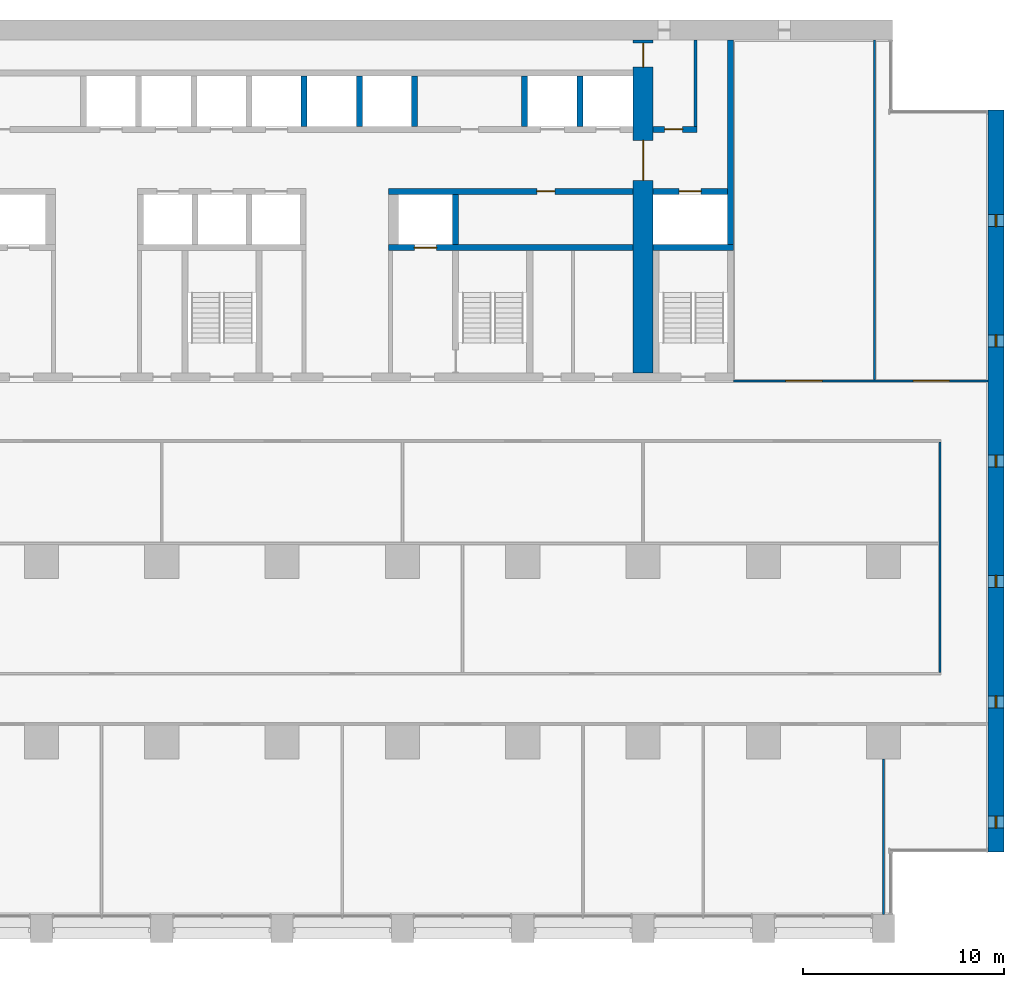
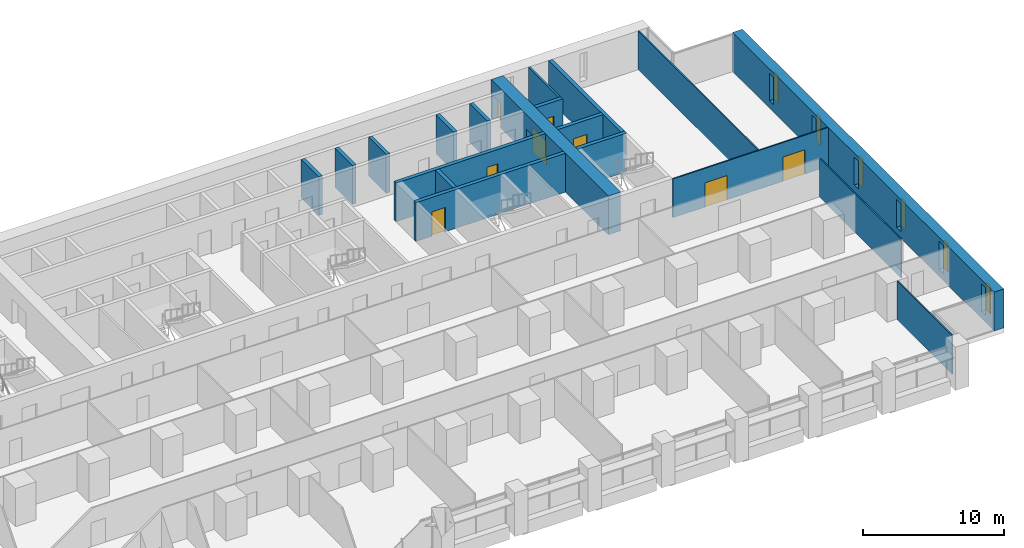
# One storey, part 13 of 18: 19 walls, 8 doors, 6 windows, 14 openings.
"""IFC4 building model written with IfcOpenShell, lengths in metres."""

from ifc_helpers import new_model, si_unit, direction, frame, frame_2d, origin, place, context, subcontext, project, spatial, rectangle, extrude, material, layer, layer_set, type_object, element, fill, save


model = new_model("IFC4")

# Units and contexts
model_context = context("Model", 3, precision=1e-05, world=origin(), true_north=direction((0.0, 1.0)))
body_context = subcontext(model_context, "Body", "Model", "MODEL_VIEW")
ifc_project = project(units=[si_unit("LENGTHUNIT", "METRE"), si_unit("AREAUNIT", "SQUARE_METRE"), si_unit("VOLUMEUNIT", "CUBIC_METRE"), si_unit("PLANEANGLEUNIT", "RADIAN"), si_unit("MASSUNIT", "GRAM", prefix="KILO")], contexts=[model_context])

# Site, building, storey
site_placement = place(None, origin())
site = spatial("IfcSite", under=ifc_project, at=site_placement, CompositionType="ELEMENT")
building_placement = place(site_placement, origin())
building = spatial("IfcBuilding", under=site, at=building_placement, Name="Calvaro Tower", CompositionType="ELEMENT")
storey_placement = place(building_placement, frame((0.0, 0.0, 48.75)))
storey = spatial("IfcBuildingStorey", under=building, at=storey_placement, Name="L11", CompositionType="ELEMENT", Elevation=48.75)

# Wall
ifc_material_1 = material(Name="Blockwork partition", Category="masonry")
ifc_layer_1 = layer(ifc_material_1, 0.14990234375)
ifc_layer_set_1 = layer_set([ifc_layer_1], Name="Blockwork partition")
wall_type_1 = type_object("IfcWallType", Name="Core partition 150 REI 120", PredefinedType="PARTITIONING", material=ifc_layer_set_1)
wall_1_placement = place(storey_placement, frame((62.625, 40.699951171875, 0.0), z_axis=(0.0, 0.0, 1.0), x_axis=(0.0, 1.0, 0.0)))
element("IfcWall", 1, at=wall_1_placement, inside=storey, type_object=wall_type_1, Name="Core partition", PredefinedType="PARTITIONING", context=body_context, shape_type="SweptSolid", body=[
    extrude(rectangle(XDim=4.300048828125, YDim=0.14990234375, at=frame_2d((2.14990234375, 0.0))), origin(), (0.0, 0.0, 1.0), 3.35009765625),
])

# Wall, opening, door
ifc_material_2 = material(Name="Blockwork partition", Category="masonry")
ifc_layer_2 = layer(ifc_material_2, 0.300048828125)
ifc_layer_set_2 = layer_set([ifc_layer_2], Name="Blockwork partition")
wall_type_2 = type_object("IfcWallType", Name="Core partition 300 REI 120", PredefinedType="PARTITIONING", material=ifc_layer_set_2)
wall_2_placement = place(storey_placement, frame((60.5, 40.550048828125, 0.0), z_axis=(0.0, 0.0, 1.0), x_axis=(1.0, 0.0, 0.0)))
wall_2 = element("IfcWall", 2, at=wall_2_placement, inside=storey, type_object=wall_type_2, Name="Core partition", PredefinedType="PARTITIONING", context=body_context, shape_type="SweptSolid", body=[
    extrude(rectangle(XDim=2.199951171875, YDim=0.300048828125, at=frame_2d((1.10009765625, 0.0))), origin(), (0.0, 0.0, 1.0), 3.35009765625),
])
opening_1_placement = place(wall_2_placement, frame((0.574951171875, 0.0, 0.0)))
opening_1 = element("IfcOpeningElement", 3, at=opening_1_placement, cuts=wall_2, Name="Opening RD9E", PredefinedType="OPENING", context=body_context, shape_type="SweptSolid", body=[
    extrude(rectangle(XDim=0.89990234375, YDim=2.10009765625, at=frame_2d((0.449951171875, 1.050048828125))), frame((0.0, 0.159912109375, 0.0), z_axis=(0.0, -1.0, 0.0), x_axis=(1.0, 0.0, 0.0)), (0.0, 0.0, 1.0), 0.320068359375),
])
ifc_material_3 = material(Name="Steel door set", Category="steel")
door_type_1 = type_object("IfcDoorType", Name="Room door 900 FD60", OperationType="SINGLE_SWING_LEFT", PredefinedType="DOOR", material=ifc_material_3)
door_1_placement = place(opening_1_placement, origin())
door_1 = element("IfcDoor", 4, at=door_1_placement, inside=storey, type_object=door_type_1, Name="Room door", OperationType="SINGLE_SWING_LEFT", OverallHeight=2.10009765625, OverallWidth=0.89990234375, PredefinedType="DOOR", context=body_context, shape_type="SweptSolid", body=[
    extrude(rectangle(XDim=0.89990234375, YDim=2.10009765625, at=frame_2d((0.449951171875, 1.050048828125))), frame((0.0, 0.02490234375, 0.0), z_axis=(0.0, -1.0, 0.0), x_axis=(1.0, 0.0, 0.0)), (0.0, 0.0, 1.0), 0.050048828125),
])
fill(opening_1, door_1)

# Wall, openings, doors
ifc_material_4 = material(Name="Concrete C80/95", Category="concrete")
ifc_layer_3 = layer(ifc_material_4, 1.0)
ifc_layer_set_3 = layer_set([ifc_layer_3], Name="Concrete C80/95")
wall_type_3 = type_object("IfcWallType", Name="Core wall C80/95 1000", PredefinedType="SHEAR", material=ifc_layer_set_3)
wall_3_placement = place(storey_placement, frame((60.0, 28.39990234375, 0.0), z_axis=(0.0, 0.0, 1.0), x_axis=(0.0, 1.0, 0.0)))
wall_3 = element("IfcWall", 5, at=wall_3_placement, inside=storey, type_object=wall_type_3, Name="Core wall, cross shear wall", PredefinedType="SHEAR", context=body_context, shape_type="SweptSolid", body=[
    extrude(rectangle(XDim=16.60009765625, YDim=1.0, at=frame_2d((8.300048828125, 0.0))), origin(), (0.0, 0.0, 1.0), 3.35009765625),
])
opening_2_placement = place(wall_3_placement, frame((9.60009765625, 0.0, 0.0)))
opening_2 = element("IfcOpeningElement", 6, at=opening_2_placement, cuts=wall_3, Name="Opening DD20D", PredefinedType="OPENING", context=body_context, shape_type="SweptSolid", body=[
    extrude(rectangle(XDim=2.0, YDim=2.10009765625, at=frame_2d((1.0, 1.050048828125))), frame((0.0, 0.510009765625, 0.0), z_axis=(0.0, -1.0, 0.0), x_axis=(1.0, 0.0, 0.0)), (0.0, 0.0, 1.0), 1.02001953125),
])
opening_3_placement = place(wall_3_placement, frame((15.25, 0.0, 0.0)))
opening_3 = element("IfcOpeningElement", 7, at=opening_3_placement, cuts=wall_3, Name="Opening FD12C", PredefinedType="OPENING", context=body_context, shape_type="SweptSolid", body=[
    extrude(rectangle(XDim=1.199951171875, YDim=2.10009765625, at=frame_2d((0.60009765625, 1.050048828125))), frame((0.0, 0.510009765625, 0.0), z_axis=(0.0, -1.0, 0.0), x_axis=(1.0, 0.0, 0.0)), (0.0, 0.0, 1.0), 1.02001953125),
])
ifc_material_5 = material(Name="Steel door set", Category="steel")
door_type_2 = type_object("IfcDoorType", Name="Fire door 1200 FD30", OperationType="SINGLE_SWING_LEFT", PredefinedType="DOOR", material=ifc_material_5)
door_2_placement = place(opening_3_placement, origin())
door_2 = element("IfcDoor", 8, at=door_2_placement, inside=storey, type_object=door_type_2, Name="Fire door", OperationType="SINGLE_SWING_LEFT", OverallHeight=2.10009765625, OverallWidth=1.199951171875, PredefinedType="DOOR", context=body_context, shape_type="SweptSolid", body=[
    extrude(rectangle(XDim=1.199951171875, YDim=2.10009765625, at=frame_2d((0.60009765625, 1.050048828125))), frame((0.0, 0.02490234375, 0.0), z_axis=(0.0, -1.0, 0.0), x_axis=(1.0, 0.0, 0.0)), (0.0, 0.0, 1.0), 0.050048828125),
])
fill(opening_3, door_2)
ifc_material_6 = material(Name="Steel door set", Category="steel")
door_type_3 = type_object("IfcDoorType", Name="Lobby double door 2000 FD30S", OperationType="DOUBLE_DOOR_SINGLE_SWING", PredefinedType="DOOR", material=ifc_material_6)
door_3_placement = place(opening_2_placement, origin())
door_3 = element("IfcDoor", 9, at=door_3_placement, inside=storey, type_object=door_type_3, Name="Lobby double door", OperationType="DOUBLE_DOOR_SINGLE_SWING", OverallHeight=2.10009765625, OverallWidth=2.0, PredefinedType="DOOR", context=body_context, shape_type="SweptSolid", body=[
    extrude(rectangle(XDim=2.0, YDim=2.10009765625, at=frame_2d((1.0, 1.050048828125))), frame((0.0, 0.02490234375, 0.0), z_axis=(0.0, -1.0, 0.0), x_axis=(1.0, 0.0, 0.0)), (0.0, 0.0, 1.0), 0.050048828125),
])
fill(opening_2, door_3)

# Wall
ifc_material_7 = material(Name="Concrete C80/95", Category="concrete")
ifc_layer_4 = layer(ifc_material_7, 0.300048828125)
ifc_layer_set_4 = layer_set([ifc_layer_4], Name="Concrete C80/95")
wall_type_4 = type_object("IfcWallType", Name="Core wall C80/95 300", PredefinedType="SHEAR", material=ifc_layer_set_4)
wall_4_placement = place(storey_placement, frame((64.35009765625, 34.800048828125, 0.0), z_axis=(0.0, 0.0, 1.0), x_axis=(0.0, 1.0, 0.0)))
element("IfcWall", 10, at=wall_4_placement, inside=storey, type_object=wall_type_4, Name="Core wall, boundary", PredefinedType="SHEAR", context=body_context, shape_type="SweptSolid", body=[
    extrude(rectangle(XDim=10.199951171875, YDim=0.300048828125, at=frame_2d((5.10009765625, 0.0))), origin(), (0.0, 0.0, 1.0), 3.35009765625),
])

# Wall, opening, door
wall_5_placement = place(storey_placement, frame((47.300048828125, 34.64990234375, 0.0), z_axis=(0.0, 0.0, 1.0), x_axis=(1.0, 0.0, 0.0)))
wall_5 = element("IfcWall", 11, at=wall_5_placement, inside=storey, type_object=wall_type_4, Name="Core wall, lift shaft", PredefinedType="SHEAR", context=body_context, shape_type="SweptSolid", body=[
    extrude(rectangle(XDim=12.199951171875, YDim=0.300048828125, at=frame_2d((6.10009765625, 0.0))), origin(), (0.0, 0.0, 1.0), 3.35009765625),
])
opening_4_placement = place(wall_5_placement, frame((1.300048828125, 0.0, 0.0)))
opening_4 = element("IfcOpeningElement", 12, at=opening_4_placement, cuts=wall_5, Name="Opening FF2", PredefinedType="OPENING", context=body_context, shape_type="SweptSolid", body=[
    extrude(rectangle(XDim=1.10009765625, YDim=2.10009765625, at=frame_2d((0.550048828125, 1.050048828125))), frame((0.0, 0.159912109375, 0.0), z_axis=(0.0, -1.0, 0.0), x_axis=(1.0, 0.0, 0.0)), (0.0, 0.0, 1.0), 0.320068359375),
])
ifc_material_8 = material(Name="Stainless steel", Category="steel")
door_type_4 = type_object("IfcDoorType", Name="Landing door 1100 E 60", OperationType="SLIDING_TO_LEFT", PredefinedType="DOOR", material=ifc_material_8)
door_4_placement = place(opening_4_placement, origin())
door_4 = element("IfcDoor", 13, at=door_4_placement, inside=storey, type_object=door_type_4, Name="Landing door FF2", OperationType="SLIDING_TO_LEFT", OverallHeight=2.10009765625, OverallWidth=1.10009765625, PredefinedType="DOOR", context=body_context, shape_type="SweptSolid", body=[
    extrude(rectangle(XDim=1.10009765625, YDim=2.10009765625, at=frame_2d((0.550048828125, 1.050048828125))), frame((0.0, 0.02490234375, 0.0), z_axis=(0.0, -1.0, 0.0), x_axis=(1.0, 0.0, 0.0)), (0.0, 0.0, 1.0), 0.050048828125),
])
fill(opening_4, door_4)

# Wall
wall_6_placement = place(storey_placement, frame((60.5, 34.64990234375, 0.0), z_axis=(0.0, 0.0, 1.0), x_axis=(1.0, 0.0, 0.0)))
element("IfcWall", 14, at=wall_6_placement, inside=storey, type_object=wall_type_4, Name="Core wall, lift shaft", PredefinedType="SHEAR", context=body_context, shape_type="SweptSolid", body=[
    extrude(rectangle(XDim=4.0, YDim=0.300048828125, at=frame_2d((2.0, 0.0))), origin(), (0.0, 0.0, 1.0), 3.35009765625),
])

# Wall, opening, door
wall_7_placement = place(storey_placement, frame((59.5, 37.449951171875, 0.0), z_axis=(0.0, 0.0, 1.0), x_axis=(-1.0, 0.0, 0.0)))
wall_7 = element("IfcWall", 15, at=wall_7_placement, inside=storey, type_object=wall_type_4, Name="Core wall, bay", PredefinedType="SHEAR", context=body_context, shape_type="SweptSolid", body=[
    extrude(rectangle(XDim=12.199951171875, YDim=0.300048828125, at=frame_2d((6.10009765625, 0.0))), origin(), (0.0, 0.0, 1.0), 3.35009765625),
])
opening_5_placement = place(wall_7_placement, frame((3.89990234375, 0.0, 0.0)))
opening_5 = element("IfcOpeningElement", 16, at=opening_5_placement, cuts=wall_7, Name="Opening RD9C", PredefinedType="OPENING", context=body_context, shape_type="SweptSolid", body=[
    extrude(rectangle(XDim=0.89990234375, YDim=2.10009765625, at=frame_2d((0.449951171875, 1.050048828125))), frame((0.0, 0.159912109375, 0.0), z_axis=(0.0, -1.0, 0.0), x_axis=(1.0, 0.0, 0.0)), (0.0, 0.0, 1.0), 0.320068359375),
])
ifc_material_9 = material(Name="Steel door set", Category="steel")
door_type_5 = type_object("IfcDoorType", Name="Room door 900 FD30", OperationType="SINGLE_SWING_LEFT", PredefinedType="DOOR", material=ifc_material_9)
door_5_placement = place(opening_5_placement, origin())
door_5 = element("IfcDoor", 17, at=door_5_placement, inside=storey, type_object=door_type_5, Name="Room door", OperationType="SINGLE_SWING_RIGHT", OverallHeight=2.10009765625, OverallWidth=0.89990234375, PredefinedType="DOOR", context=body_context, shape_type="SweptSolid", body=[
    extrude(rectangle(XDim=0.89990234375, YDim=2.10009765625, at=frame_2d((0.449951171875, 1.050048828125))), frame((0.0, 0.02490234375, 0.0), z_axis=(0.0, -1.0, 0.0), x_axis=(1.0, 0.0, 0.0)), (0.0, 0.0, 1.0), 0.050048828125),
])
fill(opening_5, door_5)

wall_8_placement = place(storey_placement, frame((60.5, 37.449951171875, 0.0), z_axis=(0.0, 0.0, 1.0), x_axis=(1.0, 0.0, 0.0)))
wall_8 = element("IfcWall", 18, at=wall_8_placement, inside=storey, type_object=wall_type_4, Name="Core wall, lift shaft", PredefinedType="SHEAR", context=body_context, shape_type="SweptSolid", body=[
    extrude(rectangle(XDim=3.699951171875, YDim=0.300048828125, at=frame_2d((1.85009765625, 0.0))), origin(), (0.0, 0.0, 1.0), 3.35009765625),
])
opening_6_placement = place(wall_8_placement, frame((1.300048828125, 0.0, 0.0)))
opening_6 = element("IfcOpeningElement", 19, at=opening_6_placement, cuts=wall_8, Name="Opening FF3", PredefinedType="OPENING", context=body_context, shape_type="SweptSolid", body=[
    extrude(rectangle(XDim=1.10009765625, YDim=2.10009765625, at=frame_2d((0.550048828125, 1.050048828125))), frame((0.0, 0.159912109375, 0.0), z_axis=(0.0, -1.0, 0.0), x_axis=(1.0, 0.0, 0.0)), (0.0, 0.0, 1.0), 0.320068359375),
])
door_6_placement = place(opening_6_placement, origin())
door_6 = element("IfcDoor", 20, at=door_6_placement, inside=storey, type_object=door_type_4, Name="Landing door FF3", OperationType="SLIDING_TO_LEFT", OverallHeight=2.10009765625, OverallWidth=1.10009765625, PredefinedType="DOOR", context=body_context, shape_type="SweptSolid", body=[
    extrude(rectangle(XDim=1.10009765625, YDim=2.10009765625, at=frame_2d((0.550048828125, 1.050048828125))), frame((0.0, 0.02490234375, 0.0), z_axis=(0.0, -1.0, 0.0), x_axis=(1.0, 0.0, 0.0)), (0.0, 0.0, 1.0), 0.050048828125),
])
fill(opening_6, door_6)

# Walls
for number, where, z_axis, x_axis, name in (
    (21, (50.64990234375, 34.800048828125, 0.0), (0.0, 0.0, 1.0), (0.0, 1.0, 0.0), "Core wall, lift shaft"),
    (22, (43.10009765625, 40.699951171875, 0.0), (0.0, 0.0, 1.0), (0.0, 1.0, 0.0), "Core wall, lift shaft"),
    (23, (45.85009765625, 40.699951171875, 0.0), (0.0, 0.0, 1.0), (0.0, 1.0, 0.0), "Core wall, lift shaft"),
    (24, (48.60009765625, 40.699951171875, 0.0), (0.0, 0.0, 1.0), (0.0, 1.0, 0.0), "Core wall, lift shaft"),
    (25, (54.10009765625, 40.699951171875, 0.0), (0.0, 0.0, 1.0), (0.0, 1.0, 0.0), "Core wall, lift shaft"),
    (26, (56.85009765625, 40.699951171875, 0.0), (0.0, 0.0, 1.0), (0.0, 1.0, 0.0), "Core wall, lift shaft"),
):
    element("IfcWall", number, at=place(storey_placement, frame(where, z_axis=z_axis, x_axis=x_axis)), inside=storey, type_object=wall_type_4, Name=name, PredefinedType="SHEAR", context=body_context, shape_type="SweptSolid", body=[
        extrude(rectangle(XDim=2.5, YDim=0.300048828125, at=frame_2d((1.25, 0.0))), origin(), (0.0, 0.0, 1.0), 3.35009765625),
    ])

# Wall, openings, windows
ifc_material_10 = material(Name="Concrete C80/95", Category="concrete")
ifc_layer_5 = layer(ifc_material_10, 0.800048828125)
ifc_layer_set_5 = layer_set([ifc_layer_5], Name="Concrete C80/95")
wall_type_5 = type_object("IfcWallType", Name="End wall 800 C80/95", PredefinedType="SHEAR", material=ifc_layer_set_5)
wall_9_placement = place(storey_placement, frame((77.60009765625, 4.5, 0.0), z_axis=(0.0, 0.0, 1.0), x_axis=(0.0, 1.0, 0.0)))
wall_9 = element("IfcWall", 27, at=wall_9_placement, inside=storey, type_object=wall_type_5, Name="End shear wall", PredefinedType="SHEAR", context=body_context, shape_type="SweptSolid", body=[
    extrude(rectangle(XDim=37.0, YDim=0.800048828125, at=frame_2d((18.5, 0.0))), origin(), (0.0, 0.0, 1.0), 3.35009765625),
])
opening_7_placement = place(wall_9_placement, frame((1.199951171875, 0.0, 0.60009765625)))
opening_7 = element("IfcOpeningElement", 28, at=opening_7_placement, cuts=wall_9, Name="Opening WE01", PredefinedType="OPENING", context=body_context, shape_type="SweptSolid", body=[
    extrude(rectangle(XDim=0.60009765625, YDim=2.39990234375, at=frame_2d((0.300048828125, 1.199951171875))), frame((0.0, 0.409912109375, 0.0), z_axis=(0.0, -1.0, 0.0), x_axis=(1.0, 0.0, 0.0)), (0.0, 0.0, 1.0), 0.820068359375),
])
opening_8_placement = place(wall_9_placement, frame((7.199951171875, 0.0, 0.60009765625)))
opening_8 = element("IfcOpeningElement", 29, at=opening_8_placement, cuts=wall_9, Name="Opening WE02", PredefinedType="OPENING", context=body_context, shape_type="SweptSolid", body=[
    extrude(rectangle(XDim=0.60009765625, YDim=2.39990234375, at=frame_2d((0.300048828125, 1.199951171875))), frame((0.0, 0.409912109375, 0.0), z_axis=(0.0, -1.0, 0.0), x_axis=(1.0, 0.0, 0.0)), (0.0, 0.0, 1.0), 0.820068359375),
])
opening_9_placement = place(wall_9_placement, frame((13.199951171875, 0.0, 0.60009765625)))
opening_9 = element("IfcOpeningElement", 30, at=opening_9_placement, cuts=wall_9, Name="Opening WE03", PredefinedType="OPENING", context=body_context, shape_type="SweptSolid", body=[
    extrude(rectangle(XDim=0.60009765625, YDim=2.39990234375, at=frame_2d((0.300048828125, 1.199951171875))), frame((0.0, 0.409912109375, 0.0), z_axis=(0.0, -1.0, 0.0), x_axis=(1.0, 0.0, 0.0)), (0.0, 0.0, 1.0), 0.820068359375),
])
opening_10_placement = place(wall_9_placement, frame((19.199951171875, 0.0, 0.60009765625)))
opening_10 = element("IfcOpeningElement", 31, at=opening_10_placement, cuts=wall_9, Name="Opening WE04", PredefinedType="OPENING", context=body_context, shape_type="SweptSolid", body=[
    extrude(rectangle(XDim=0.60009765625, YDim=2.39990234375, at=frame_2d((0.300048828125, 1.199951171875))), frame((0.0, 0.409912109375, 0.0), z_axis=(0.0, -1.0, 0.0), x_axis=(1.0, 0.0, 0.0)), (0.0, 0.0, 1.0), 0.820068359375),
])
opening_11_placement = place(wall_9_placement, frame((25.199951171875, 0.0, 0.60009765625)))
opening_11 = element("IfcOpeningElement", 32, at=opening_11_placement, cuts=wall_9, Name="Opening WE05", PredefinedType="OPENING", context=body_context, shape_type="SweptSolid", body=[
    extrude(rectangle(XDim=0.60009765625, YDim=2.39990234375, at=frame_2d((0.300048828125, 1.199951171875))), frame((0.0, 0.409912109375, 0.0), z_axis=(0.0, -1.0, 0.0), x_axis=(1.0, 0.0, 0.0)), (0.0, 0.0, 1.0), 0.820068359375),
])
opening_12_placement = place(wall_9_placement, frame((31.199951171875, 0.0, 0.60009765625)))
opening_12 = element("IfcOpeningElement", 33, at=opening_12_placement, cuts=wall_9, Name="Opening WE06", PredefinedType="OPENING", context=body_context, shape_type="SweptSolid", body=[
    extrude(rectangle(XDim=0.60009765625, YDim=2.39990234375, at=frame_2d((0.300048828125, 1.199951171875))), frame((0.0, 0.409912109375, 0.0), z_axis=(0.0, -1.0, 0.0), x_axis=(1.0, 0.0, 0.0)), (0.0, 0.0, 1.0), 0.820068359375),
])
ifc_material_11 = material(Name="Glass", Category="glass")
window_type = type_object("IfcWindowType", Name="Slit window 600 x 2400", PartitioningType="SINGLE_PANEL", PredefinedType="WINDOW", material=ifc_material_11)
window_1_placement = place(opening_7_placement, origin())
window_1 = element("IfcWindow", 34, at=window_1_placement, inside=storey, type_object=window_type, Name="Window WE01", OverallHeight=2.39990234375, OverallWidth=0.60009765625, PartitioningType="SINGLE_PANEL", PredefinedType="WINDOW", context=body_context, shape_type="SweptSolid", body=[
    extrude(rectangle(XDim=0.60009765625, YDim=2.39990234375, at=frame_2d((0.300048828125, 1.199951171875))), frame((0.0, 0.030029296875, 0.0), z_axis=(0.0, -1.0, 0.0), x_axis=(1.0, 0.0, 0.0)), (0.0, 0.0, 1.0), 0.06005859375),
])
fill(opening_7, window_1)
window_2_placement = place(opening_8_placement, origin())
window_2 = element("IfcWindow", 35, at=window_2_placement, inside=storey, type_object=window_type, Name="Window WE02", OverallHeight=2.39990234375, OverallWidth=0.60009765625, PartitioningType="SINGLE_PANEL", PredefinedType="WINDOW", context=body_context, shape_type="SweptSolid", body=[
    extrude(rectangle(XDim=0.60009765625, YDim=2.39990234375, at=frame_2d((0.300048828125, 1.199951171875))), frame((0.0, 0.030029296875, 0.0), z_axis=(0.0, -1.0, 0.0), x_axis=(1.0, 0.0, 0.0)), (0.0, 0.0, 1.0), 0.06005859375),
])
fill(opening_8, window_2)
window_3_placement = place(opening_9_placement, origin())
window_3 = element("IfcWindow", 36, at=window_3_placement, inside=storey, type_object=window_type, Name="Window WE03", OverallHeight=2.39990234375, OverallWidth=0.60009765625, PartitioningType="SINGLE_PANEL", PredefinedType="WINDOW", context=body_context, shape_type="SweptSolid", body=[
    extrude(rectangle(XDim=0.60009765625, YDim=2.39990234375, at=frame_2d((0.300048828125, 1.199951171875))), frame((0.0, 0.030029296875, 0.0), z_axis=(0.0, -1.0, 0.0), x_axis=(1.0, 0.0, 0.0)), (0.0, 0.0, 1.0), 0.06005859375),
])
fill(opening_9, window_3)
window_4_placement = place(opening_10_placement, origin())
window_4 = element("IfcWindow", 37, at=window_4_placement, inside=storey, type_object=window_type, Name="Window WE04", OverallHeight=2.39990234375, OverallWidth=0.60009765625, PartitioningType="SINGLE_PANEL", PredefinedType="WINDOW", context=body_context, shape_type="SweptSolid", body=[
    extrude(rectangle(XDim=0.60009765625, YDim=2.39990234375, at=frame_2d((0.300048828125, 1.199951171875))), frame((0.0, 0.030029296875, 0.0), z_axis=(0.0, -1.0, 0.0), x_axis=(1.0, 0.0, 0.0)), (0.0, 0.0, 1.0), 0.06005859375),
])
fill(opening_10, window_4)
window_5_placement = place(opening_11_placement, origin())
window_5 = element("IfcWindow", 38, at=window_5_placement, inside=storey, type_object=window_type, Name="Window WE05", OverallHeight=2.39990234375, OverallWidth=0.60009765625, PartitioningType="SINGLE_PANEL", PredefinedType="WINDOW", context=body_context, shape_type="SweptSolid", body=[
    extrude(rectangle(XDim=0.60009765625, YDim=2.39990234375, at=frame_2d((0.300048828125, 1.199951171875))), frame((0.0, 0.030029296875, 0.0), z_axis=(0.0, -1.0, 0.0), x_axis=(1.0, 0.0, 0.0)), (0.0, 0.0, 1.0), 0.06005859375),
])
fill(opening_11, window_5)
window_6_placement = place(opening_12_placement, origin())
window_6 = element("IfcWindow", 39, at=window_6_placement, inside=storey, type_object=window_type, Name="Window WE06", OverallHeight=2.39990234375, OverallWidth=0.60009765625, PartitioningType="SINGLE_PANEL", PredefinedType="WINDOW", context=body_context, shape_type="SweptSolid", body=[
    extrude(rectangle(XDim=0.60009765625, YDim=2.39990234375, at=frame_2d((0.300048828125, 1.199951171875))), frame((0.0, 0.030029296875, 0.0), z_axis=(0.0, -1.0, 0.0), x_axis=(1.0, 0.0, 0.0)), (0.0, 0.0, 1.0), 0.06005859375),
])
fill(opening_12, window_6)

# Wall, openings, doors
ifc_material_12 = material(Name="Plasterboard on steel studs", Category="steel")
ifc_layer_6 = layer(ifc_material_12, 0.10009765625)
ifc_layer_set_6 = layer_set([ifc_layer_6], Name="Plasterboard on steel studs")
wall_type_6 = type_object("IfcWallType", Name="Partition 100", PredefinedType="PARTITIONING", material=ifc_layer_set_6)
wall_10_placement = place(storey_placement, frame((64.5, 28.0, 0.0), z_axis=(0.0, 0.0, 1.0), x_axis=(1.0, 0.0, 0.0)))
wall_10 = element("IfcWall", 40, at=wall_10_placement, inside=storey, type_object=wall_type_6, Name="Partition T10.W006", PredefinedType="PARTITIONING", context=body_context, shape_type="SweptSolid", body=[
    extrude(rectangle(XDim=12.699951171875, YDim=0.10009765625, at=frame_2d((6.35009765625, 0.0))), origin(), (0.0, 0.0, 1.0), 3.35009765625),
])
opening_13_placement = place(wall_10_placement, frame((8.97509765625, 0.0, 0.0)))
opening_13 = element("IfcOpeningElement", 41, at=opening_13_placement, cuts=wall_10, Name="Opening T10.021", PredefinedType="OPENING", context=body_context, shape_type="SweptSolid", body=[
    extrude(rectangle(XDim=1.800048828125, YDim=2.10009765625, at=frame_2d((0.89990234375, 1.050048828125))), frame((0.0, 0.06005859375, 0.0), z_axis=(0.0, -1.0, 0.0), x_axis=(1.0, 0.0, 0.0)), (0.0, 0.0, 1.0), 0.1201171875),
])
opening_14_placement = place(wall_10_placement, frame((2.625, 0.0, 0.0)))
opening_14 = element("IfcOpeningElement", 42, at=opening_14_placement, cuts=wall_10, Name="Opening T10.023", PredefinedType="OPENING", context=body_context, shape_type="SweptSolid", body=[
    extrude(rectangle(XDim=1.800048828125, YDim=2.10009765625, at=frame_2d((0.89990234375, 1.050048828125))), frame((0.0, 0.06005859375, 0.0), z_axis=(0.0, -1.0, 0.0), x_axis=(1.0, 0.0, 0.0)), (0.0, 0.0, 1.0), 0.1201171875),
])
ifc_material_13 = material(Name="Timber", Category="wood")
door_type_6 = type_object("IfcDoorType", Name="Internal double door 1800 x 2100", OperationType="DOUBLE_DOOR_SINGLE_SWING", PredefinedType="DOOR", material=ifc_material_13)
door_7_placement = place(opening_13_placement, origin())
door_7 = element("IfcDoor", 43, at=door_7_placement, inside=storey, type_object=door_type_6, Name="Door T10.021", OperationType="DOUBLE_DOOR_SINGLE_SWING", OverallHeight=2.10009765625, OverallWidth=1.800048828125, PredefinedType="DOOR", context=body_context, shape_type="SweptSolid", body=[
    extrude(rectangle(XDim=1.800048828125, YDim=2.10009765625, at=frame_2d((0.89990234375, 1.050048828125))), frame((0.0, 0.02490234375, 0.0), z_axis=(0.0, -1.0, 0.0), x_axis=(1.0, 0.0, 0.0)), (0.0, 0.0, 1.0), 0.050048828125),
])
fill(opening_13, door_7)
door_8_placement = place(opening_14_placement, origin())
door_8 = element("IfcDoor", 44, at=door_8_placement, inside=storey, type_object=door_type_6, Name="Door T10.023", OperationType="DOUBLE_DOOR_SINGLE_SWING", OverallHeight=2.10009765625, OverallWidth=1.800048828125, PredefinedType="DOOR", context=body_context, shape_type="SweptSolid", body=[
    extrude(rectangle(XDim=1.800048828125, YDim=2.10009765625, at=frame_2d((0.89990234375, 1.050048828125))), frame((0.0, 0.02490234375, 0.0), z_axis=(0.0, -1.0, 0.0), x_axis=(1.0, 0.0, 0.0)), (0.0, 0.0, 1.0), 0.050048828125),
])
fill(opening_14, door_8)

# Walls
wall_11_placement = place(storey_placement, frame((71.550048828125, 28.050048828125, 0.0), z_axis=(0.0, 0.0, 1.0), x_axis=(0.0, 1.0, 0.0)))
element("IfcWall", 45, at=wall_11_placement, inside=storey, type_object=wall_type_6, Name="Partition T10.W021", PredefinedType="PARTITIONING", context=body_context, shape_type="SweptSolid", body=[
    extrude(rectangle(XDim=16.949951171875, YDim=0.10009765625, at=frame_2d((8.47509765625, 0.0))), origin(), (0.0, 0.0, 1.0), 3.35009765625),
])
wall_12_placement = place(storey_placement, frame((72.0, 1.39990234375, 0.0), z_axis=(0.0, 0.0, 1.0), x_axis=(0.0, 1.0, 0.0)))
element("IfcWall", 46, at=wall_12_placement, inside=storey, type_object=wall_type_6, Name="Partition T10.W022", PredefinedType="PARTITIONING", context=body_context, shape_type="SweptSolid", body=[
    extrude(rectangle(XDim=7.75, YDim=0.10009765625, at=frame_2d((3.875, 0.0))), origin(), (0.0, 0.0, 1.0), 3.35009765625),
])
wall_13_placement = place(storey_placement, frame((74.800048828125, 13.449951171875, 0.0), z_axis=(0.0, 0.0, 1.0), x_axis=(0.0, 1.0, 0.0)))
element("IfcWall", 47, at=wall_13_placement, inside=storey, type_object=wall_type_6, Name="Partition T10.W023", PredefinedType="PARTITIONING", context=body_context, shape_type="SweptSolid", body=[
    extrude(rectangle(XDim=11.5, YDim=0.10009765625, at=frame_2d((5.75, 0.0))), origin(), (0.0, 0.0, 1.0), 3.35009765625),
])

save(model, "model.ifc")
